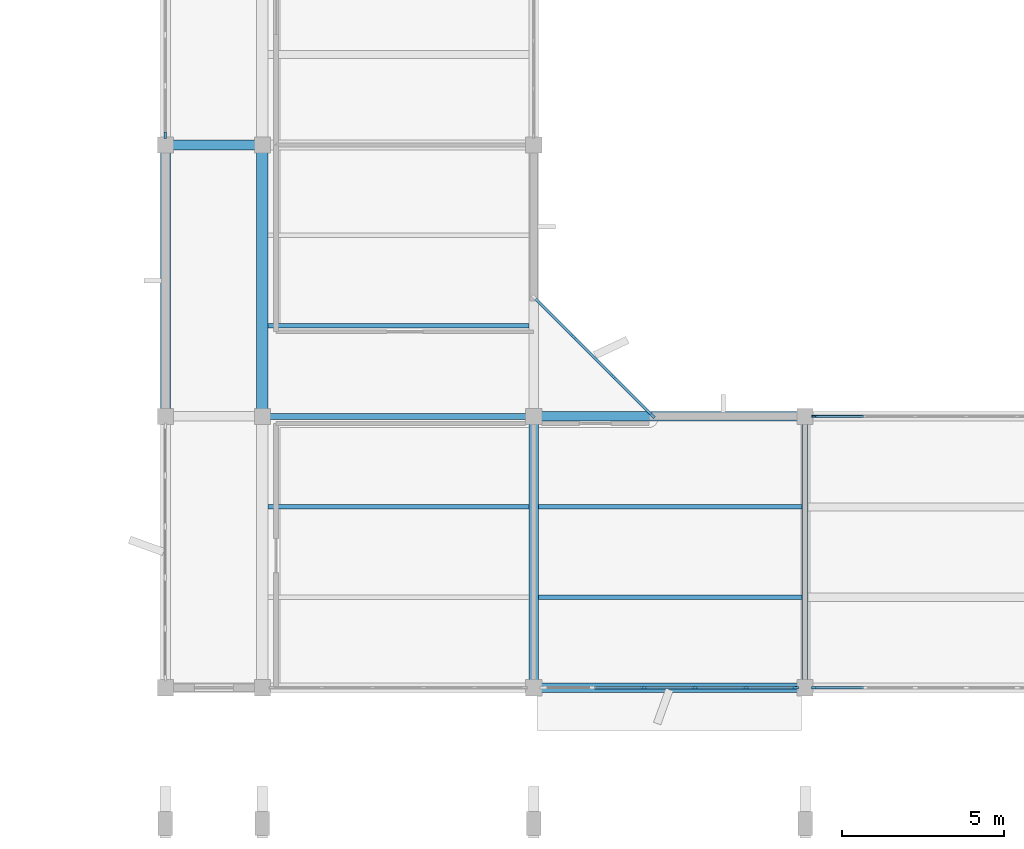
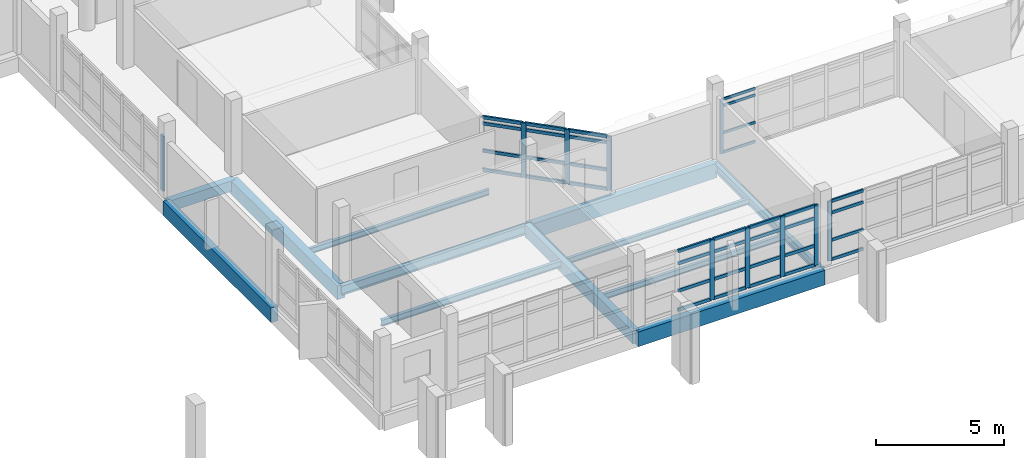
# One storey, part 16 of 104: 46 members, 12 beams, 5 elements without a shape of their own.
"""IFC4 building model written with IfcOpenShell, lengths in metres."""

from ifc_helpers import new_model, si_unit, direction, frame, origin, origin_2d, place, context, subcontext, project, spatial, rectangle, i_section, extrude, material, material_profile, profile_set, type_object, element, aggregate, save


model = new_model("IFC4")

# Units and contexts
model_context = context("Model", 3, precision=1e-05, world=origin(), true_north=direction((0.0, 1.0)))
body_context = subcontext(model_context, "Body", "Model", "MODEL_VIEW")
ifc_project = project(units=[si_unit("LENGTHUNIT", "METRE"), si_unit("AREAUNIT", "SQUARE_METRE"), si_unit("VOLUMEUNIT", "CUBIC_METRE"), si_unit("PLANEANGLEUNIT", "RADIAN"), si_unit("MASSUNIT", "GRAM", prefix="KILO")], contexts=[model_context])

# Site, building, storey
site_placement = place(None, origin())
site = spatial("IfcSite", under=ifc_project, at=site_placement, CompositionType="ELEMENT")
building_placement = place(site_placement, origin())
building = spatial("IfcBuilding", under=site, at=building_placement, Name="Vanh Quang Courtyard School", CompositionType="ELEMENT")
storey_placement = place(building_placement, frame((0.0, 0.0, 4.199951171875)))
storey = spatial("IfcBuildingStorey", under=building, at=storey_placement, Name="L01", CompositionType="ELEMENT", Elevation=4.199951171875)

# Beams
ifc_material_1 = material(Name="Concrete C35/45", Category="concrete")
ifc_material_profile_1 = material_profile(ifc_material_1, rectangle(XDim=0.300048828125, YDim=0.5, at=origin_2d()), Name="RC-BM 300x500")
ifc_profile_set_1 = profile_set([ifc_material_profile_1], Name="Concrete C35/45")
beam_type_1 = type_object("IfcBeamType", Name="BM-RC-300x500", PredefinedType="BEAM", material=ifc_profile_set_1)
beam_1_placement = place(storey_placement, frame((74.39990234375, 21.0, -0.530029296875), z_axis=(1.0, 0.0, 0.0), x_axis=(0.0, 1.0, 0.0)))
element("IfcBeam", 1, at=beam_1_placement, inside=storey, type_object=beam_type_1, Name="Beam B-08 (L01)", PredefinedType="BEAM", context=body_context, shape_type="SweptSolid", body=[
    extrude(rectangle(XDim=0.300048828125, YDim=0.5, at=origin_2d()), origin(), (0.0, 0.0, 1.0), 3.0),
])
ifc_material_profile_2 = material_profile(ifc_material_1, rectangle(XDim=0.300048828125, YDim=0.60009765625, at=origin_2d()), Name="RC-BM 300x600")
ifc_profile_set_2 = profile_set([ifc_material_profile_2], Name="Concrete C35/45")
beam_type_2 = type_object("IfcBeamType", Name="BM-RC-300x600", PredefinedType="BEAM", material=ifc_profile_set_2)
beam_2_placement = place(storey_placement, frame((85.800048828125, 4.199951171875, -0.579833984375), z_axis=(0.0, 1.0, 0.0), x_axis=(-1.0, 0.0, 0.0)))
element("IfcBeam", 2, at=beam_2_placement, inside=storey, type_object=beam_type_2, Name="Beam B-06 (L01)", PredefinedType="BEAM", context=body_context, shape_type="SweptSolid", body=[
    extrude(rectangle(XDim=0.300048828125, YDim=0.60009765625, at=origin_2d()), origin(), (0.0, 0.0, 1.0), 8.400146484375),
])
ifc_material_profile_3 = material_profile(ifc_material_1, rectangle(XDim=0.35009765625, YDim=0.64990234375, at=origin_2d()), Name="RC-BM 350x650")
ifc_profile_set_3 = profile_set([ifc_material_profile_3], Name="Concrete C35/45")
beam_type_3 = type_object("IfcBeamType", Name="BM-RC-350x650", PredefinedType="BEAM", material=ifc_profile_set_3)
beam_3_placement = place(storey_placement, frame((77.39990234375, 12.60009765625, -0.60498046875), z_axis=(0.0, 1.0, 0.0), x_axis=(-1.0, 0.0, 0.0)))
element("IfcBeam", 3, at=beam_3_placement, inside=storey, type_object=beam_type_3, Name="Beam B-05 (L01)", PredefinedType="BEAM", context=body_context, shape_type="SweptSolid", body=[
    extrude(rectangle(XDim=0.35009765625, YDim=0.64990234375, at=origin_2d()), origin(), (0.0, 0.0, 1.0), 8.39990234375),
])
ifc_material_profile_4 = material_profile(ifc_material_1, rectangle(XDim=0.300048828125, YDim=0.699951171875, at=origin_2d()), Name="RC-SP 300x700")
ifc_profile_set_4 = profile_set([ifc_material_profile_4], Name="Concrete C35/45")
beam_type_4 = type_object("IfcBeamType", Name="BM-SP-300x700", PredefinedType="SPANDREL", material=ifc_profile_set_4)
for number, where, z_axis, x_axis, name in (
    (4, (85.800048828125, 4.199951171875, -0.6298828125), (1.0, 0.0, 0.0), (0.0, 1.0, 0.0), "Beam BS-01 (L01)"),
    (5, (85.800048828125, 12.60009765625, -0.6298828125), (1.0, 0.0, 0.0), (0.0, 1.0, 0.0), "Beam BS-01 (L01)"),
    (6, (74.39990234375, 12.60009765625, -0.6298828125), (0.0, 1.0, 0.0), (-1.0, 0.0, 0.0), "Beam BS-01 (L01)"),
):
    element("IfcBeam", number, at=place(storey_placement, frame(where, z_axis=z_axis, x_axis=x_axis)), inside=storey, type_object=beam_type_4, Name=name, PredefinedType="SPANDREL", context=body_context, shape_type="SweptSolid", body=[
        extrude(rectangle(XDim=0.300048828125, YDim=0.699951171875, at=origin_2d()), origin(), (0.0, 0.0, 1.0), 8.39990234375),
    ])
ifc_material_2 = material(Name="Structural steel EN 10025-2 S355J2", Category="steel")
ifc_material_profile_5 = material_profile(ifc_material_2, i_section(OverallWidth=0.179931640625, OverallDepth=0.39990234375, WebThickness=0.008544921875, FlangeThickness=0.013427734375, FilletRadius=0.02099609375, at=origin_2d()), Name="IPE 400")
ifc_profile_set_5 = profile_set([ifc_material_profile_5], Name="Structural steel EN 10025-2 S355J2")
beam_type_5 = type_object("IfcBeamType", Name="BM-STL-IPE400", PredefinedType="BEAM", material=ifc_profile_set_5)
beam_4_placement = place(storey_placement, frame((94.199951171875, 4.199951171875, -0.47998046875), z_axis=(0.0, 1.0, 0.0), x_axis=(-1.0, 0.0, 0.0)))
element("IfcBeam", 7, at=beam_4_placement, inside=storey, type_object=beam_type_5, Name="Beam SB-05 (L01)", PredefinedType="BEAM", context=body_context, shape_type="SweptSolid", body=[
    extrude(i_section(OverallWidth=0.179931640625, OverallDepth=0.39990234375, WebThickness=0.008544921875, FlangeThickness=0.013427734375, FilletRadius=0.02099609375, at=origin_2d()), origin(), (0.0, 0.0, 1.0), 8.400146484375),
])
ifc_material_profile_6 = material_profile(ifc_material_2, i_section(OverallWidth=0.18994140625, OverallDepth=0.449951171875, WebThickness=0.009521484375, FlangeThickness=0.0146484375, FilletRadius=0.02099609375, at=origin_2d()), Name="IPE 450")
ifc_profile_set_6 = profile_set([ifc_material_profile_6], Name="Structural steel EN 10025-2 S355J2")
beam_type_6 = type_object("IfcBeamType", Name="BM-STL-IPE450", PredefinedType="BEAM", material=ifc_profile_set_6)
beam_5_placement = place(storey_placement, frame((77.39990234375, 12.60009765625, -0.5048828125), z_axis=(1.0, 0.0, 0.0), x_axis=(0.0, 1.0, 0.0)))
element("IfcBeam", 8, at=beam_5_placement, inside=storey, type_object=beam_type_6, Name="Beam SB-04 (L01)", PredefinedType="BEAM", context=body_context, shape_type="SweptSolid", body=[
    extrude(i_section(OverallWidth=0.18994140625, OverallDepth=0.449951171875, WebThickness=0.009521484375, FlangeThickness=0.0146484375, FilletRadius=0.02099609375, at=origin_2d()), origin(), (0.0, 0.0, 1.0), 8.400146484375),
])

# Curtain wall, member
ifc_material_3 = material(Name="Thermally broken aluminium unitised curtain wall", Category="aluminium")
curtain_wall_type_1 = type_object("IfcCurtainWallType", Name="CW-SYS-19", PredefinedType="NOTDEFINED", material=ifc_material_3)
curtain_wall_1_placement = place(storey_placement, origin())
curtain_wall_1 = element("IfcCurtainWall", 9, at=curtain_wall_1_placement, inside=storey, type_object=curtain_wall_type_1, Name="Curtain Wall CW-19 (L01)", PredefinedType="NOTDEFINED")
ifc_material_4 = material(Name="Anodised aluminium 6063-T6", Category="aluminium")
ifc_material_profile_7 = material_profile(ifc_material_4, rectangle(XDim=0.06005859375, YDim=0.159912109375, at=origin_2d()), Name="ALU-MUL 60x160")
ifc_profile_set_7 = profile_set([ifc_material_profile_7], Name="Anodised aluminium 6063-T6")
member_type_1 = type_object("IfcMemberType", Name="CW-MUL-60x160", PredefinedType="MULLION", material=ifc_profile_set_7)
member_1_placement = place(storey_placement, frame((94.488037109375, 12.60009765625, 0.0), z_axis=(0.0, 0.0, 1.0), x_axis=(0.0, 1.0, 0.0)))
member_1 = element("IfcMember", 10, at=member_1_placement, type_object=member_type_1, Name="CW-19 mullion 1", PredefinedType="MULLION", context=body_context, shape_type="SweptSolid", body=[
    extrude(rectangle(XDim=0.06005859375, YDim=0.159912109375, at=origin_2d()), origin(), (0.0, 0.0, 1.0), 2.580078125),
])

curtain_wall_type_2 = type_object("IfcCurtainWallType", Name="CW-SYS-28", PredefinedType="NOTDEFINED", material=ifc_material_3)
curtain_wall_2_placement = place(storey_placement, origin())
curtain_wall_2 = element("IfcCurtainWall", 11, at=curtain_wall_2_placement, inside=storey, type_object=curtain_wall_type_2, Name="Curtain Wall CW-28 (L01)", PredefinedType="NOTDEFINED")
ifc_material_profile_8 = material_profile(ifc_material_4, rectangle(XDim=0.070068359375, YDim=0.179931640625, at=origin_2d()), Name="ALU-MUL 70x180")
ifc_profile_set_8 = profile_set([ifc_material_profile_8], Name="Anodised aluminium 6063-T6")
member_type_2 = type_object("IfcMemberType", Name="CW-MUL-70x180", PredefinedType="MULLION", material=ifc_profile_set_8)
member_2_placement = place(storey_placement, frame((94.492919921875, 4.199951171875, 0.0), z_axis=(0.0, 0.0, 1.0), x_axis=(0.0, -1.0, 0.0)))
member_2 = element("IfcMember", 12, at=member_2_placement, type_object=member_type_2, Name="CW-28 mullion 6", PredefinedType="MULLION", context=body_context, shape_type="SweptSolid", body=[
    extrude(rectangle(XDim=0.070068359375, YDim=0.179931640625, at=origin_2d()), origin(), (0.0, 0.0, 1.0), 2.830078125),
])

# Curtain wall, members
curtain_wall_type_3 = type_object("IfcCurtainWallType", Name="CW-SYS-29", PredefinedType="NOTDEFINED", material=ifc_material_3)
curtain_wall_3_placement = place(storey_placement, origin())
curtain_wall_3 = element("IfcCurtainWall", 13, at=curtain_wall_3_placement, inside=storey, type_object=curtain_wall_type_3, Name="Curtain Wall CW-29 (L01)", PredefinedType="NOTDEFINED")
ifc_material_profile_9 = material_profile(ifc_material_4, rectangle(XDim=0.080078125, YDim=0.199951171875, at=origin_2d()), Name="ALU-MUL 80x200")
ifc_profile_set_9 = profile_set([ifc_material_profile_9], Name="Anodised aluminium 6063-T6")
member_type_3 = type_object("IfcMemberType", Name="CW-MUL-80x200", PredefinedType="MULLION", material=ifc_profile_set_9)
member_3_placement = place(storey_placement, frame((93.902099609375, 4.199951171875, 0.0), z_axis=(0.0, 0.0, 1.0), x_axis=(0.0, -1.0, 0.0)))
member_3 = element("IfcMember", 14, at=member_3_placement, type_object=member_type_3, Name="CW-29 mullion 1", PredefinedType="MULLION", context=body_context, shape_type="SweptSolid", body=[
    extrude(rectangle(XDim=0.080078125, YDim=0.199951171875, at=origin_2d()), origin(), (0.0, 0.0, 1.0), 2.8701171875),
])
member_4_placement = place(storey_placement, frame((92.365234375, 4.199951171875, 0.0), z_axis=(0.0, 0.0, 1.0), x_axis=(0.0, -1.0, 0.0)))
member_4 = element("IfcMember", 15, at=member_4_placement, type_object=member_type_3, Name="CW-29 mullion 2", PredefinedType="MULLION", context=body_context, shape_type="SweptSolid", body=[
    extrude(rectangle(XDim=0.080078125, YDim=0.199951171875, at=origin_2d()), origin(), (0.0, 0.0, 1.0), 2.8701171875),
])
member_5_placement = place(storey_placement, frame((90.788330078125, 4.199951171875, 0.0), z_axis=(0.0, 0.0, 1.0), x_axis=(0.0, -1.0, 0.0)))
member_5 = element("IfcMember", 16, at=member_5_placement, type_object=member_type_3, Name="CW-29 mullion 3", PredefinedType="MULLION", context=body_context, shape_type="SweptSolid", body=[
    extrude(rectangle(XDim=0.080078125, YDim=0.199951171875, at=origin_2d()), origin(), (0.0, 0.0, 1.0), 2.8701171875),
])
member_6_placement = place(storey_placement, frame((89.211669921875, 4.199951171875, 0.0), z_axis=(0.0, 0.0, 1.0), x_axis=(0.0, -1.0, 0.0)))
member_6 = element("IfcMember", 17, at=member_6_placement, type_object=member_type_3, Name="CW-29 mullion 4", PredefinedType="MULLION", context=body_context, shape_type="SweptSolid", body=[
    extrude(rectangle(XDim=0.080078125, YDim=0.199951171875, at=origin_2d()), origin(), (0.0, 0.0, 1.0), 2.8701171875),
])

# Curtain wall, member
curtain_wall_4_placement = place(storey_placement, origin())
curtain_wall_4 = element("IfcCurtainWall", 18, at=curtain_wall_4_placement, inside=storey, type_object=curtain_wall_type_1, Name="Curtain Wall CW-19 (L01)", PredefinedType="NOTDEFINED")
member_7_placement = place(storey_placement, frame((74.39990234375, 21.298095703125, 0.0), z_axis=(0.0, 0.0, 1.0), x_axis=(-1.0, 0.0, 0.0)))
member_7 = element("IfcMember", 19, at=member_7_placement, type_object=member_type_3, Name="CW-19 mullion 1", PredefinedType="MULLION", context=body_context, shape_type="SweptSolid", body=[
    extrude(rectangle(XDim=0.080078125, YDim=0.199951171875, at=origin_2d()), origin(), (0.0, 0.0, 1.0), 2.6201171875),
])
aggregate(curtain_wall_4, [member_7])

# Curtain wall, members
curtain_wall_type_4 = type_object("IfcCurtainWallType", Name="CW-SYS-37", PredefinedType="NOTDEFINED", material=ifc_material_3)
curtain_wall_5_placement = place(storey_placement, origin())
curtain_wall_5 = element("IfcCurtainWall", 20, at=curtain_wall_5_placement, inside=storey, type_object=curtain_wall_type_4, Name="Curtain Wall CW-37 (L01)", PredefinedType="NOTDEFINED")
member_8_placement = place(storey_placement, frame((87.031982421875, 15.06396484375, 0.0), z_axis=(0.0, 0.0, 1.0), x_axis=(0.707106781187, 0.707106781187, 0.0)))
member_8 = element("IfcMember", 21, at=member_8_placement, type_object=member_type_3, Name="CW-37 mullion 2", PredefinedType="MULLION", context=body_context, shape_type="SweptSolid", body=[
    extrude(rectangle(XDim=0.080078125, YDim=0.199951171875, at=origin_2d()), origin(), (0.0, 0.0, 1.0), 2.580078125),
])
member_9_placement = place(storey_placement, frame((88.263916015625, 13.83203125, 0.0), z_axis=(0.0, 0.0, 1.0), x_axis=(0.707106781187, 0.707106781187, 0.0)))
member_9 = element("IfcMember", 22, at=member_9_placement, type_object=member_type_3, Name="CW-37 mullion 3", PredefinedType="MULLION", context=body_context, shape_type="SweptSolid", body=[
    extrude(rectangle(XDim=0.080078125, YDim=0.199951171875, at=origin_2d()), origin(), (0.0, 0.0, 1.0), 2.580078125),
])
member_10_placement = place(storey_placement, frame((89.4677734375, 12.628173828125, 0.0), z_axis=(0.0, 0.0, 1.0), x_axis=(0.707106781187, 0.707106781187, 0.0)))
member_10 = element("IfcMember", 23, at=member_10_placement, type_object=member_type_3, Name="CW-37 mullion 4", PredefinedType="MULLION", context=body_context, shape_type="SweptSolid", body=[
    extrude(rectangle(XDim=0.080078125, YDim=0.199951171875, at=origin_2d()), origin(), (0.0, 0.0, 1.0), 2.580078125),
])

# Member
ifc_material_profile_10 = material_profile(ifc_material_4, rectangle(XDim=0.06005859375, YDim=0.1201171875, at=origin_2d()), Name="ALU-TRN 60x120")
ifc_profile_set_10 = profile_set([ifc_material_profile_10], Name="Anodised aluminium 6063-T6")
member_type_4 = type_object("IfcMemberType", Name="CW-TRN-60x120", PredefinedType="USERDEFINED", material=ifc_profile_set_10)
member_11_placement = place(storey_placement, frame((94.51806640625, 12.60009765625, 0.030029296875), z_axis=(1.0, 0.0, 0.0), x_axis=(0.0, 1.0, 0.0)))
member_11 = element("IfcMember", 24, at=member_11_placement, type_object=member_type_4, Name="CW-19 transom 1.1", ObjectType="TRANSOM", PredefinedType="USERDEFINED", context=body_context, shape_type="SweptSolid", body=[
    extrude(rectangle(XDim=0.06005859375, YDim=0.1201171875, at=origin_2d()), origin(), (0.0, 0.0, 1.0), 1.48681640625),
])

member_12_placement = place(storey_placement, frame((94.51806640625, 12.60009765625, 0.949951171875), z_axis=(1.0, 0.0, 0.0), x_axis=(0.0, 1.0, 0.0)))
member_12 = element("IfcMember", 25, at=member_12_placement, type_object=member_type_4, Name="CW-19 transom 1.2", ObjectType="TRANSOM", PredefinedType="USERDEFINED", context=body_context, shape_type="SweptSolid", body=[
    extrude(rectangle(XDim=0.06005859375, YDim=0.1201171875, at=origin_2d()), origin(), (0.0, 0.0, 1.0), 1.48681640625),
])

member_13_placement = place(storey_placement, frame((94.51806640625, 12.60009765625, 2.25), z_axis=(1.0, 0.0, 0.0), x_axis=(0.0, 1.0, 0.0)))
member_13 = element("IfcMember", 26, at=member_13_placement, type_object=member_type_4, Name="CW-19 transom 1.3", ObjectType="TRANSOM", PredefinedType="USERDEFINED", context=body_context, shape_type="SweptSolid", body=[
    extrude(rectangle(XDim=0.06005859375, YDim=0.1201171875, at=origin_2d()), origin(), (0.0, 0.0, 1.0), 1.48681640625),
])

member_14_placement = place(storey_placement, frame((94.51806640625, 12.60009765625, 2.550048828125), z_axis=(1.0, 0.0, 0.0), x_axis=(0.0, 1.0, 0.0)))
member_14 = element("IfcMember", 27, at=member_14_placement, type_object=member_type_4, Name="CW-19 transom 1.4", ObjectType="TRANSOM", PredefinedType="USERDEFINED", context=body_context, shape_type="SweptSolid", body=[
    extrude(rectangle(XDim=0.06005859375, YDim=0.1201171875, at=origin_2d()), origin(), (0.0, 0.0, 1.0), 1.48681640625),
])

aggregate(curtain_wall_1, [member_1, member_11, member_12, member_13, member_14])

ifc_material_profile_11 = material_profile(ifc_material_4, rectangle(XDim=0.070068359375, YDim=0.139892578125, at=origin_2d()), Name="ALU-TRN 70x140")
ifc_profile_set_11 = profile_set([ifc_material_profile_11], Name="Anodised aluminium 6063-T6")
member_type_5 = type_object("IfcMemberType", Name="CW-TRN-70x140", PredefinedType="USERDEFINED", material=ifc_profile_set_11)
member_15_placement = place(storey_placement, frame((95.999755859375, 4.199951171875, 0.03515625), z_axis=(-1.0, 0.0, 0.0), x_axis=(0.0, -1.0, 0.0)))
member_15 = element("IfcMember", 28, at=member_15_placement, type_object=member_type_5, Name="CW-28 transom 5.1", ObjectType="TRANSOM", PredefinedType="USERDEFINED", context=body_context, shape_type="SweptSolid", body=[
    extrude(rectangle(XDim=0.070068359375, YDim=0.139892578125, at=origin_2d()), origin(), (0.0, 0.0, 1.0), 1.4716796875),
])

member_16_placement = place(storey_placement, frame((95.999755859375, 4.199951171875, 0.949951171875), z_axis=(-1.0, 0.0, 0.0), x_axis=(0.0, -1.0, 0.0)))
member_16 = element("IfcMember", 29, at=member_16_placement, type_object=member_type_5, Name="CW-28 transom 5.2", ObjectType="TRANSOM", PredefinedType="USERDEFINED", context=body_context, shape_type="SweptSolid", body=[
    extrude(rectangle(XDim=0.070068359375, YDim=0.139892578125, at=origin_2d()), origin(), (0.0, 0.0, 1.0), 1.4716796875),
])

member_17_placement = place(storey_placement, frame((95.999755859375, 4.199951171875, 2.25), z_axis=(-1.0, 0.0, 0.0), x_axis=(0.0, -1.0, 0.0)))
member_17 = element("IfcMember", 30, at=member_17_placement, type_object=member_type_5, Name="CW-28 transom 5.3", ObjectType="TRANSOM", PredefinedType="USERDEFINED", context=body_context, shape_type="SweptSolid", body=[
    extrude(rectangle(XDim=0.070068359375, YDim=0.139892578125, at=origin_2d()), origin(), (0.0, 0.0, 1.0), 1.4716796875),
])

member_18_placement = place(storey_placement, frame((95.999755859375, 4.199951171875, 2.795166015625), z_axis=(-1.0, 0.0, 0.0), x_axis=(0.0, -1.0, 0.0)))
member_18 = element("IfcMember", 31, at=member_18_placement, type_object=member_type_5, Name="CW-28 transom 5.4", ObjectType="TRANSOM", PredefinedType="USERDEFINED", context=body_context, shape_type="SweptSolid", body=[
    extrude(rectangle(XDim=0.070068359375, YDim=0.139892578125, at=origin_2d()), origin(), (0.0, 0.0, 1.0), 1.4716796875),
])

aggregate(curtain_wall_2, [member_2, member_15, member_16, member_17, member_18])

ifc_material_profile_12 = material_profile(ifc_material_4, rectangle(XDim=0.080078125, YDim=0.14990234375, at=origin_2d()), Name="ALU-TRN 80x150")
ifc_profile_set_12 = profile_set([ifc_material_profile_12], Name="Anodised aluminium 6063-T6")
member_type_6 = type_object("IfcMemberType", Name="CW-TRN-80x150", PredefinedType="USERDEFINED", material=ifc_profile_set_12)
member_19_placement = place(storey_placement, frame((93.862060546875, 4.199951171875, 0.0400390625), z_axis=(-1.0, 0.0, 0.0), x_axis=(0.0, -1.0, 0.0)))
member_19 = element("IfcMember", 32, at=member_19_placement, type_object=member_type_6, Name="CW-29 transom 1.1", ObjectType="TRANSOM", PredefinedType="USERDEFINED", context=body_context, shape_type="SweptSolid", body=[
    extrude(rectangle(XDim=0.080078125, YDim=0.14990234375, at=origin_2d()), origin(), (0.0, 0.0, 1.0), 1.456787109375),
])

member_20_placement = place(storey_placement, frame((93.862060546875, 4.199951171875, 0.949951171875), z_axis=(-1.0, 0.0, 0.0), x_axis=(0.0, -1.0, 0.0)))
member_20 = element("IfcMember", 33, at=member_20_placement, type_object=member_type_6, Name="CW-29 transom 1.2", ObjectType="TRANSOM", PredefinedType="USERDEFINED", context=body_context, shape_type="SweptSolid", body=[
    extrude(rectangle(XDim=0.080078125, YDim=0.14990234375, at=origin_2d()), origin(), (0.0, 0.0, 1.0), 1.456787109375),
])

member_21_placement = place(storey_placement, frame((93.862060546875, 4.199951171875, 2.25), z_axis=(-1.0, 0.0, 0.0), x_axis=(0.0, -1.0, 0.0)))
member_21 = element("IfcMember", 34, at=member_21_placement, type_object=member_type_6, Name="CW-29 transom 1.3", ObjectType="TRANSOM", PredefinedType="USERDEFINED", context=body_context, shape_type="SweptSolid", body=[
    extrude(rectangle(XDim=0.080078125, YDim=0.14990234375, at=origin_2d()), origin(), (0.0, 0.0, 1.0), 1.456787109375),
])

member_22_placement = place(storey_placement, frame((93.862060546875, 4.199951171875, 2.830078125), z_axis=(-1.0, 0.0, 0.0), x_axis=(0.0, -1.0, 0.0)))
member_22 = element("IfcMember", 35, at=member_22_placement, type_object=member_type_6, Name="CW-29 transom 1.4", ObjectType="TRANSOM", PredefinedType="USERDEFINED", context=body_context, shape_type="SweptSolid", body=[
    extrude(rectangle(XDim=0.080078125, YDim=0.14990234375, at=origin_2d()), origin(), (0.0, 0.0, 1.0), 1.456787109375),
])

member_23_placement = place(storey_placement, frame((92.3251953125, 4.199951171875, 0.0400390625), z_axis=(-1.0, 0.0, 0.0), x_axis=(0.0, -1.0, 0.0)))
member_23 = element("IfcMember", 36, at=member_23_placement, type_object=member_type_6, Name="CW-29 transom 2.1", ObjectType="TRANSOM", PredefinedType="USERDEFINED", context=body_context, shape_type="SweptSolid", body=[
    extrude(rectangle(XDim=0.080078125, YDim=0.14990234375, at=origin_2d()), origin(), (0.0, 0.0, 1.0), 1.496826171875),
])

member_24_placement = place(storey_placement, frame((92.3251953125, 4.199951171875, 0.949951171875), z_axis=(-1.0, 0.0, 0.0), x_axis=(0.0, -1.0, 0.0)))
member_24 = element("IfcMember", 37, at=member_24_placement, type_object=member_type_6, Name="CW-29 transom 2.2", ObjectType="TRANSOM", PredefinedType="USERDEFINED", context=body_context, shape_type="SweptSolid", body=[
    extrude(rectangle(XDim=0.080078125, YDim=0.14990234375, at=origin_2d()), origin(), (0.0, 0.0, 1.0), 1.496826171875),
])

member_25_placement = place(storey_placement, frame((92.3251953125, 4.199951171875, 2.25), z_axis=(-1.0, 0.0, 0.0), x_axis=(0.0, -1.0, 0.0)))
member_25 = element("IfcMember", 38, at=member_25_placement, type_object=member_type_6, Name="CW-29 transom 2.3", ObjectType="TRANSOM", PredefinedType="USERDEFINED", context=body_context, shape_type="SweptSolid", body=[
    extrude(rectangle(XDim=0.080078125, YDim=0.14990234375, at=origin_2d()), origin(), (0.0, 0.0, 1.0), 1.496826171875),
])

member_26_placement = place(storey_placement, frame((92.3251953125, 4.199951171875, 2.830078125), z_axis=(-1.0, 0.0, 0.0), x_axis=(0.0, -1.0, 0.0)))
member_26 = element("IfcMember", 39, at=member_26_placement, type_object=member_type_6, Name="CW-29 transom 2.4", ObjectType="TRANSOM", PredefinedType="USERDEFINED", context=body_context, shape_type="SweptSolid", body=[
    extrude(rectangle(XDim=0.080078125, YDim=0.14990234375, at=origin_2d()), origin(), (0.0, 0.0, 1.0), 1.496826171875),
])

member_27_placement = place(storey_placement, frame((90.748291015625, 4.199951171875, 0.0400390625), z_axis=(-1.0, 0.0, 0.0), x_axis=(0.0, -1.0, 0.0)))
member_27 = element("IfcMember", 40, at=member_27_placement, type_object=member_type_6, Name="CW-29 transom 3.1", ObjectType="TRANSOM", PredefinedType="USERDEFINED", context=body_context, shape_type="SweptSolid", body=[
    extrude(rectangle(XDim=0.080078125, YDim=0.14990234375, at=origin_2d()), origin(), (0.0, 0.0, 1.0), 1.49658203125),
])

member_28_placement = place(storey_placement, frame((90.748291015625, 4.199951171875, 0.949951171875), z_axis=(-1.0, 0.0, 0.0), x_axis=(0.0, -1.0, 0.0)))
member_28 = element("IfcMember", 41, at=member_28_placement, type_object=member_type_6, Name="CW-29 transom 3.2", ObjectType="TRANSOM", PredefinedType="USERDEFINED", context=body_context, shape_type="SweptSolid", body=[
    extrude(rectangle(XDim=0.080078125, YDim=0.14990234375, at=origin_2d()), origin(), (0.0, 0.0, 1.0), 1.49658203125),
])

member_29_placement = place(storey_placement, frame((90.748291015625, 4.199951171875, 2.25), z_axis=(-1.0, 0.0, 0.0), x_axis=(0.0, -1.0, 0.0)))
member_29 = element("IfcMember", 42, at=member_29_placement, type_object=member_type_6, Name="CW-29 transom 3.3", ObjectType="TRANSOM", PredefinedType="USERDEFINED", context=body_context, shape_type="SweptSolid", body=[
    extrude(rectangle(XDim=0.080078125, YDim=0.14990234375, at=origin_2d()), origin(), (0.0, 0.0, 1.0), 1.49658203125),
])

member_30_placement = place(storey_placement, frame((90.748291015625, 4.199951171875, 2.830078125), z_axis=(-1.0, 0.0, 0.0), x_axis=(0.0, -1.0, 0.0)))
member_30 = element("IfcMember", 43, at=member_30_placement, type_object=member_type_6, Name="CW-29 transom 3.4", ObjectType="TRANSOM", PredefinedType="USERDEFINED", context=body_context, shape_type="SweptSolid", body=[
    extrude(rectangle(XDim=0.080078125, YDim=0.14990234375, at=origin_2d()), origin(), (0.0, 0.0, 1.0), 1.49658203125),
])

member_31_placement = place(storey_placement, frame((89.171630859375, 4.199951171875, 0.0400390625), z_axis=(-1.0, 0.0, 0.0), x_axis=(0.0, -1.0, 0.0)))
member_31 = element("IfcMember", 44, at=member_31_placement, type_object=member_type_6, Name="CW-29 transom 4.1", ObjectType="TRANSOM", PredefinedType="USERDEFINED", context=body_context, shape_type="SweptSolid", body=[
    extrude(rectangle(XDim=0.080078125, YDim=0.14990234375, at=origin_2d()), origin(), (0.0, 0.0, 1.0), 1.496826171875),
])

member_32_placement = place(storey_placement, frame((89.171630859375, 4.199951171875, 0.949951171875), z_axis=(-1.0, 0.0, 0.0), x_axis=(0.0, -1.0, 0.0)))
member_32 = element("IfcMember", 45, at=member_32_placement, type_object=member_type_6, Name="CW-29 transom 4.2", ObjectType="TRANSOM", PredefinedType="USERDEFINED", context=body_context, shape_type="SweptSolid", body=[
    extrude(rectangle(XDim=0.080078125, YDim=0.14990234375, at=origin_2d()), origin(), (0.0, 0.0, 1.0), 1.496826171875),
])

member_33_placement = place(storey_placement, frame((89.171630859375, 4.199951171875, 2.25), z_axis=(-1.0, 0.0, 0.0), x_axis=(0.0, -1.0, 0.0)))
member_33 = element("IfcMember", 46, at=member_33_placement, type_object=member_type_6, Name="CW-29 transom 4.3", ObjectType="TRANSOM", PredefinedType="USERDEFINED", context=body_context, shape_type="SweptSolid", body=[
    extrude(rectangle(XDim=0.080078125, YDim=0.14990234375, at=origin_2d()), origin(), (0.0, 0.0, 1.0), 1.496826171875),
])

member_34_placement = place(storey_placement, frame((89.171630859375, 4.199951171875, 2.830078125), z_axis=(-1.0, 0.0, 0.0), x_axis=(0.0, -1.0, 0.0)))
member_34 = element("IfcMember", 47, at=member_34_placement, type_object=member_type_6, Name="CW-29 transom 4.4", ObjectType="TRANSOM", PredefinedType="USERDEFINED", context=body_context, shape_type="SweptSolid", body=[
    extrude(rectangle(XDim=0.080078125, YDim=0.14990234375, at=origin_2d()), origin(), (0.0, 0.0, 1.0), 1.496826171875),
])

aggregate(curtain_wall_3, [member_3, member_4, member_5, member_6, member_19, member_20, member_21, member_22, member_23, member_24, member_25, member_26, member_27, member_28, member_29, member_30, member_31, member_32, member_33, member_34])

member_35_placement = place(storey_placement, frame((85.856689453125, 16.239501953125, 0.0400390625), z_axis=(0.707031529042, -0.707182025323, 0.0), x_axis=(0.707182025323, 0.707031529042, 0.0)))
member_35 = element("IfcMember", 48, at=member_35_placement, type_object=member_type_6, Name="CW-37 transom 1.1", ObjectType="TRANSOM", PredefinedType="USERDEFINED", context=body_context, shape_type="SweptSolid", body=[
    extrude(rectangle(XDim=0.080078125, YDim=0.14990234375, at=origin_2d()), origin(), (0.0, 0.0, 1.0), 1.622314453125),
])

member_36_placement = place(storey_placement, frame((85.856689453125, 16.239501953125, 0.949951171875), z_axis=(0.707031529042, -0.707182025323, 0.0), x_axis=(0.707182025323, 0.707031529042, 0.0)))
member_36 = element("IfcMember", 49, at=member_36_placement, type_object=member_type_6, Name="CW-37 transom 1.2", ObjectType="TRANSOM", PredefinedType="USERDEFINED", context=body_context, shape_type="SweptSolid", body=[
    extrude(rectangle(XDim=0.080078125, YDim=0.14990234375, at=origin_2d()), origin(), (0.0, 0.0, 1.0), 1.622314453125),
])

member_37_placement = place(storey_placement, frame((85.856689453125, 16.239501953125, 2.25), z_axis=(0.707031529042, -0.707182025323, 0.0), x_axis=(0.707182025323, 0.707031529042, 0.0)))
member_37 = element("IfcMember", 50, at=member_37_placement, type_object=member_type_6, Name="CW-37 transom 1.3", ObjectType="TRANSOM", PredefinedType="USERDEFINED", context=body_context, shape_type="SweptSolid", body=[
    extrude(rectangle(XDim=0.080078125, YDim=0.14990234375, at=origin_2d()), origin(), (0.0, 0.0, 1.0), 1.622314453125),
])

member_38_placement = place(storey_placement, frame((85.856689453125, 16.239501953125, 2.5400390625), z_axis=(0.707031529042, -0.707182025323, 0.0), x_axis=(0.707182025323, 0.707031529042, 0.0)))
member_38 = element("IfcMember", 51, at=member_38_placement, type_object=member_type_6, Name="CW-37 transom 1.4", ObjectType="TRANSOM", PredefinedType="USERDEFINED", context=body_context, shape_type="SweptSolid", body=[
    extrude(rectangle(XDim=0.080078125, YDim=0.14990234375, at=origin_2d()), origin(), (0.0, 0.0, 1.0), 1.622314453125),
])

member_39_placement = place(storey_placement, frame((87.060302734375, 15.03564453125, 0.0400390625), z_axis=(0.707106781187, -0.707106781187, 0.0), x_axis=(0.707106781187, 0.707106781187, 0.0)))
member_39 = element("IfcMember", 52, at=member_39_placement, type_object=member_type_6, Name="CW-37 transom 2.1", ObjectType="TRANSOM", PredefinedType="USERDEFINED", context=body_context, shape_type="SweptSolid", body=[
    extrude(rectangle(XDim=0.080078125, YDim=0.14990234375, at=origin_2d()), origin(), (0.0, 0.0, 1.0), 1.662109375),
])

member_40_placement = place(storey_placement, frame((87.060302734375, 15.03564453125, 0.949951171875), z_axis=(0.707106781187, -0.707106781187, 0.0), x_axis=(0.707106781187, 0.707106781187, 0.0)))
member_40 = element("IfcMember", 53, at=member_40_placement, type_object=member_type_6, Name="CW-37 transom 2.2", ObjectType="TRANSOM", PredefinedType="USERDEFINED", context=body_context, shape_type="SweptSolid", body=[
    extrude(rectangle(XDim=0.080078125, YDim=0.14990234375, at=origin_2d()), origin(), (0.0, 0.0, 1.0), 1.662109375),
])

member_41_placement = place(storey_placement, frame((87.060302734375, 15.03564453125, 2.25), z_axis=(0.707106781187, -0.707106781187, 0.0), x_axis=(0.707106781187, 0.707106781187, 0.0)))
member_41 = element("IfcMember", 54, at=member_41_placement, type_object=member_type_6, Name="CW-37 transom 2.3", ObjectType="TRANSOM", PredefinedType="USERDEFINED", context=body_context, shape_type="SweptSolid", body=[
    extrude(rectangle(XDim=0.080078125, YDim=0.14990234375, at=origin_2d()), origin(), (0.0, 0.0, 1.0), 1.662109375),
])

member_42_placement = place(storey_placement, frame((87.060302734375, 15.03564453125, 2.5400390625), z_axis=(0.707106781187, -0.707106781187, 0.0), x_axis=(0.707106781187, 0.707106781187, 0.0)))
member_42 = element("IfcMember", 55, at=member_42_placement, type_object=member_type_6, Name="CW-37 transom 2.4", ObjectType="TRANSOM", PredefinedType="USERDEFINED", context=body_context, shape_type="SweptSolid", body=[
    extrude(rectangle(XDim=0.080078125, YDim=0.14990234375, at=origin_2d()), origin(), (0.0, 0.0, 1.0), 1.662109375),
])

member_43_placement = place(storey_placement, frame((88.292236328125, 13.8037109375, 0.0400390625), z_axis=(0.707106781187, -0.707106781187, 0.0), x_axis=(0.707106781187, 0.707106781187, 0.0)))
member_43 = element("IfcMember", 56, at=member_43_placement, type_object=member_type_6, Name="CW-37 transom 3.1", ObjectType="TRANSOM", PredefinedType="USERDEFINED", context=body_context, shape_type="SweptSolid", body=[
    extrude(rectangle(XDim=0.080078125, YDim=0.14990234375, at=origin_2d()), origin(), (0.0, 0.0, 1.0), 1.622314453125),
])

member_44_placement = place(storey_placement, frame((88.292236328125, 13.8037109375, 0.949951171875), z_axis=(0.707106781187, -0.707106781187, 0.0), x_axis=(0.707106781187, 0.707106781187, 0.0)))
member_44 = element("IfcMember", 57, at=member_44_placement, type_object=member_type_6, Name="CW-37 transom 3.2", ObjectType="TRANSOM", PredefinedType="USERDEFINED", context=body_context, shape_type="SweptSolid", body=[
    extrude(rectangle(XDim=0.080078125, YDim=0.14990234375, at=origin_2d()), origin(), (0.0, 0.0, 1.0), 1.622314453125),
])

member_45_placement = place(storey_placement, frame((88.292236328125, 13.8037109375, 2.25), z_axis=(0.707106781187, -0.707106781187, 0.0), x_axis=(0.707106781187, 0.707106781187, 0.0)))
member_45 = element("IfcMember", 58, at=member_45_placement, type_object=member_type_6, Name="CW-37 transom 3.3", ObjectType="TRANSOM", PredefinedType="USERDEFINED", context=body_context, shape_type="SweptSolid", body=[
    extrude(rectangle(XDim=0.080078125, YDim=0.14990234375, at=origin_2d()), origin(), (0.0, 0.0, 1.0), 1.622314453125),
])

member_46_placement = place(storey_placement, frame((88.292236328125, 13.8037109375, 2.5400390625), z_axis=(0.707106781187, -0.707106781187, 0.0), x_axis=(0.707106781187, 0.707106781187, 0.0)))
member_46 = element("IfcMember", 59, at=member_46_placement, type_object=member_type_6, Name="CW-37 transom 3.4", ObjectType="TRANSOM", PredefinedType="USERDEFINED", context=body_context, shape_type="SweptSolid", body=[
    extrude(rectangle(XDim=0.080078125, YDim=0.14990234375, at=origin_2d()), origin(), (0.0, 0.0, 1.0), 1.622314453125),
])

aggregate(curtain_wall_5, [member_8, member_9, member_10, member_35, member_36, member_37, member_38, member_39, member_40, member_41, member_42, member_43, member_44, member_45, member_46])

# Beams
ifc_material_profile_13 = material_profile(ifc_material_2, i_section(OverallWidth=0.135009765625, OverallDepth=0.27001953125, WebThickness=0.006591796875, FlangeThickness=0.01025390625, FilletRadius=0.014892578125, at=origin_2d()), Name="IPE 270")
ifc_profile_set_13 = profile_set([ifc_material_profile_13], Name="Structural steel EN 10025-2 S355J2")
beam_type_7 = type_object("IfcBeamType", Name="JST-STL-IPE270", PredefinedType="JOIST", material=ifc_profile_set_13)
beam_6_placement = place(storey_placement, frame((77.574951171875, 15.39990234375, -0.4150390625), z_axis=(1.0, 0.0, 0.0), x_axis=(0.0, 1.0, 0.0)))
element("IfcBeam", 60, at=beam_6_placement, inside=storey, type_object=beam_type_7, Name="Beam SJ-03 (L01)", PredefinedType="JOIST", context=body_context, shape_type="SweptSolid", body=[
    extrude(i_section(OverallWidth=0.135009765625, OverallDepth=0.27001953125, WebThickness=0.006591796875, FlangeThickness=0.01025390625, FilletRadius=0.014892578125, at=origin_2d()), origin(), (0.0, 0.0, 1.0), 8.074951171875),
])
for number, where, z_axis, x_axis, name in (
    (61, (85.949951171875, 7.0, -0.4150390625), (1.0, 0.0, 0.0), (0.0, 1.0, 0.0), "Beam SJ-03 (L01)"),
    (62, (85.949951171875, 9.800048828125, -0.4150390625), (1.0, 0.0, 0.0), (0.0, 1.0, 0.0), "Beam SJ-03 (L01)"),
):
    element("IfcBeam", number, at=place(storey_placement, frame(where, z_axis=z_axis, x_axis=x_axis)), inside=storey, type_object=beam_type_7, Name=name, PredefinedType="JOIST", context=body_context, shape_type="SweptSolid", body=[
        extrude(i_section(OverallWidth=0.135009765625, OverallDepth=0.27001953125, WebThickness=0.006591796875, FlangeThickness=0.01025390625, FilletRadius=0.014892578125, at=origin_2d()), origin(), (0.0, 0.0, 1.0), 8.16015625),
    ])
ifc_material_profile_14 = material_profile(ifc_material_2, i_section(OverallWidth=0.14990234375, OverallDepth=0.300048828125, WebThickness=0.007080078125, FlangeThickness=0.0107421875, FilletRadius=0.014892578125, at=origin_2d()), Name="IPE 300")
ifc_profile_set_14 = profile_set([ifc_material_profile_14], Name="Structural steel EN 10025-2 S355J2")
beam_type_8 = type_object("IfcBeamType", Name="JST-STL-IPE300", PredefinedType="JOIST", material=ifc_profile_set_14)
beam_7_placement = place(storey_placement, frame((77.574951171875, 9.800048828125, -0.429931640625), z_axis=(1.0, 0.0, 0.0), x_axis=(0.0, 1.0, 0.0)))
element("IfcBeam", 63, at=beam_7_placement, inside=storey, type_object=beam_type_8, Name="Beam SJ-02 (L01)", PredefinedType="JOIST", context=body_context, shape_type="SweptSolid", body=[
    extrude(i_section(OverallWidth=0.14990234375, OverallDepth=0.300048828125, WebThickness=0.007080078125, FlangeThickness=0.0107421875, FilletRadius=0.014892578125, at=origin_2d()), origin(), (0.0, 0.0, 1.0), 8.074951171875),
])

save(model, "model.ifc")
